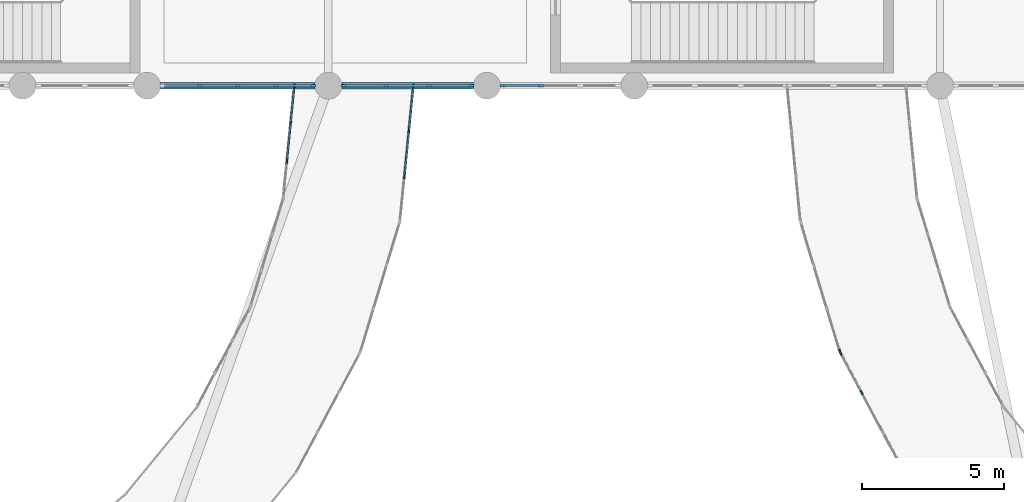
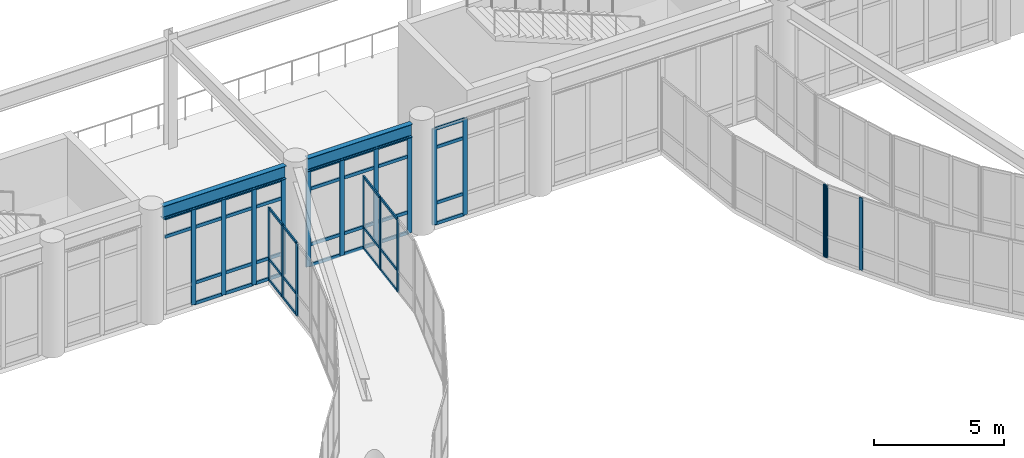
# One storey, part 27 of 72: 61 members, 2 beams, 7 elements without a shape of their own.
"""IFC4 building model written with IfcOpenShell, lengths in metres."""

from ifc_helpers import new_model, si_unit, direction, frame, origin, origin_2d, place, context, subcontext, project, spatial, rectangle, i_section, extrude, material, material_profile, profile_set, type_object, element, aggregate, save


model = new_model("IFC4")

# Units and contexts
model_context = context("Model", 3, precision=1e-05, world=origin(), true_north=direction((0.0, 1.0)))
body_context = subcontext(model_context, "Body", "Model", "MODEL_VIEW")
ifc_project = project(units=[si_unit("LENGTHUNIT", "METRE"), si_unit("AREAUNIT", "SQUARE_METRE"), si_unit("VOLUMEUNIT", "CUBIC_METRE"), si_unit("PLANEANGLEUNIT", "RADIAN"), si_unit("MASSUNIT", "GRAM", prefix="KILO")], contexts=[model_context])

# Site, building, storey
site_placement = place(None, origin())
site = spatial("IfcSite", under=ifc_project, at=site_placement, CompositionType="ELEMENT")
building_placement = place(site_placement, origin())
building = spatial("IfcBuilding", under=site, at=building_placement, Name="Veldera Park Congress Hotel", CompositionType="ELEMENT")
storey_placement = place(building_placement, frame((0.0, 0.0, 5.39990234375)))
storey = spatial("IfcBuildingStorey", under=building, at=storey_placement, Name="L01", CompositionType="ELEMENT", Elevation=5.39990234375)

# Beams
ifc_material_1 = material(Name="Steel ASTM A992 Gr.50", Category="steel")
ifc_material_profile_1 = material_profile(ifc_material_1, i_section(OverallWidth=0.22900390625, OverallDepth=0.612060546875, WebThickness=0.011962890625, FlangeThickness=0.01953125, at=origin_2d()), Name="W24X84")
ifc_profile_set_1 = profile_set([ifc_material_profile_1], Name="Steel ASTM A992 Gr.50")
beam_type = type_object("IfcBeamType", Name="BM-W24", PredefinedType="BEAM", material=ifc_profile_set_1)
beam_1_placement = place(storey_placement, frame((14.074951171875, 17.39990234375, 4.82421875), z_axis=(1.0, 0.0, 0.0), x_axis=(0.0, 1.0, 0.0)))
element("IfcBeam", 1, at=beam_1_placement, inside=storey, type_object=beam_type, Name="L01 Girder BM-W24 601", PredefinedType="BEAM", context=body_context, shape_type="SweptSolid", body=[
    extrude(i_section(OverallWidth=0.22900390625, OverallDepth=0.612060546875, WebThickness=0.011962890625, FlangeThickness=0.01953125, at=origin_2d()), origin(), (0.0, 0.0, 1.0), 5.449951171875),
])
beam_2_placement = place(storey_placement, frame((20.47509765625, 17.39990234375, 4.82421875), z_axis=(1.0, 0.0, 0.0), x_axis=(0.0, 1.0, 0.0)))
element("IfcBeam", 2, at=beam_2_placement, inside=storey, type_object=beam_type, Name="L01 Girder BM-W24 602", PredefinedType="BEAM", context=body_context, shape_type="SweptSolid", body=[
    extrude(i_section(OverallWidth=0.22900390625, OverallDepth=0.612060546875, WebThickness=0.011962890625, FlangeThickness=0.01953125, at=origin_2d()), origin(), (0.0, 0.0, 1.0), 4.64990234375),
])

# Curtain wall, members
ifc_material_2 = material(Name="Low-E Triple Insulating Glass Unit (SHGC 0.22)", Category="glass")
curtain_wall_type_1 = type_object("IfcCurtainWallType", Name="CW-BRG", PredefinedType="NOTDEFINED", material=ifc_material_2)
curtain_wall_1_placement = place(storey_placement, origin())
curtain_wall_1 = element("IfcCurtainWall", 3, at=curtain_wall_1_placement, inside=storey, type_object=curtain_wall_type_1, Name="L01 Curtain Wall CW3-BRGW-L01-A07", PredefinedType="NOTDEFINED")
ifc_material_3 = material(Name="Anodised Aluminium Alloy 6063-T6", Category="aluminium")
ifc_material_profile_2 = material_profile(ifc_material_3, rectangle(XDim=0.06005859375, YDim=0.159912109375, at=origin_2d()), Name="ALU 60x160")
ifc_profile_set_2 = profile_set([ifc_material_profile_2], Name="Anodised Aluminium Alloy 6063-T6")
member_type_1 = type_object("IfcMemberType", Name="CWM-160", PredefinedType="MULLION", material=ifc_profile_set_2)
member_1_placement = place(storey_placement, frame((22.684814453125, 14.200439453125, 0.0), z_axis=(0.0, 0.0, 1.0), x_axis=(-0.995184320963, 0.098021259481, 0.0)))
member_1 = element("IfcMember", 4, at=member_1_placement, type_object=member_type_1, Name="CW-BRG mullion 2", PredefinedType="MULLION", context=body_context, shape_type="SweptSolid", body=[
    extrude(rectangle(XDim=0.06005859375, YDim=0.159912109375, at=origin_2d()), origin(), (0.0, 0.0, 1.0), 3.400146484375),
])
member_2_placement = place(storey_placement, frame((22.842529296875, 15.80029296875, 0.0), z_axis=(0.0, 0.0, 1.0), x_axis=(-0.995184320963, 0.098021259481, 0.0)))
member_2 = element("IfcMember", 5, at=member_2_placement, type_object=member_type_1, Name="CW-BRG mullion 3", PredefinedType="MULLION", context=body_context, shape_type="SweptSolid", body=[
    extrude(rectangle(XDim=0.06005859375, YDim=0.159912109375, at=origin_2d()), origin(), (0.0, 0.0, 1.0), 3.400146484375),
])
member_3_placement = place(storey_placement, frame((22.9970703125, 17.3701171875, 0.0), z_axis=(0.0, 0.0, 1.0), x_axis=(-0.995184320963, 0.098021259481, 0.0)))
member_3 = element("IfcMember", 6, at=member_3_placement, type_object=member_type_1, Name="CW-BRG mullion 4", PredefinedType="MULLION", context=body_context, shape_type="SweptSolid", body=[
    extrude(rectangle(XDim=0.06005859375, YDim=0.159912109375, at=origin_2d()), origin(), (0.0, 0.0, 1.0), 3.400146484375),
])

curtain_wall_2_placement = place(storey_placement, origin())
curtain_wall_2 = element("IfcCurtainWall", 7, at=curtain_wall_2_placement, inside=storey, type_object=curtain_wall_type_1, Name="L01 Curtain Wall CW3-BRGW-L01-B09", PredefinedType="NOTDEFINED")
member_4_placement = place(storey_placement, frame((18.797119140625, 17.3701171875, 0.0), z_axis=(0.0, 0.0, 1.0), x_axis=(0.99518414337, -0.098023062513, 0.0)))
member_4 = element("IfcMember", 8, at=member_4_placement, type_object=member_type_1, Name="CW-BRG mullion 1", PredefinedType="MULLION", context=body_context, shape_type="SweptSolid", body=[
    extrude(rectangle(XDim=0.06005859375, YDim=0.159912109375, at=origin_2d()), origin(), (0.0, 0.0, 1.0), 3.400146484375),
])
member_5_placement = place(storey_placement, frame((18.66943359375, 16.073486328125, 0.0), z_axis=(0.0, 0.0, 1.0), x_axis=(0.99518414337, -0.098023062513, 0.0)))
member_5 = element("IfcMember", 9, at=member_5_placement, type_object=member_type_1, Name="CW-BRG mullion 2", PredefinedType="MULLION", context=body_context, shape_type="SweptSolid", body=[
    extrude(rectangle(XDim=0.06005859375, YDim=0.159912109375, at=origin_2d()), origin(), (0.0, 0.0, 1.0), 3.400146484375),
])
member_6_placement = place(storey_placement, frame((18.53857421875, 14.746826171875, 0.0), z_axis=(0.0, 0.0, 1.0), x_axis=(0.99518414337, -0.098023062513, 0.0)))
member_6 = element("IfcMember", 10, at=member_6_placement, type_object=member_type_1, Name="CW-BRG mullion 3", PredefinedType="MULLION", context=body_context, shape_type="SweptSolid", body=[
    extrude(rectangle(XDim=0.06005859375, YDim=0.159912109375, at=origin_2d()), origin(), (0.0, 0.0, 1.0), 3.400146484375),
])

# Curtain wall, member
curtain_wall_3_placement = place(storey_placement, origin())
curtain_wall_3 = element("IfcCurtainWall", 11, at=curtain_wall_3_placement, inside=storey, type_object=curtain_wall_type_1, Name="L01 Curtain Wall CW3-BRGE-L01-A01", PredefinedType="NOTDEFINED")
member_7_placement = place(storey_placement, frame((38.06396484375, 8.0146484375, 0.0), z_axis=(0.0, 0.0, 1.0), x_axis=(0.956939429957, 0.290287663177, 0.0)))
member_7 = element("IfcMember", 12, at=member_7_placement, type_object=member_type_1, Name="CW-BRG mullion 4", PredefinedType="MULLION", context=body_context, shape_type="SweptSolid", body=[
    extrude(rectangle(XDim=0.06005859375, YDim=0.159912109375, at=origin_2d()), origin(), (0.0, 0.0, 1.0), 3.400146484375),
])
aggregate(curtain_wall_3, [member_7])

# Curtain wall, members
curtain_wall_4_placement = place(storey_placement, origin())
curtain_wall_4 = element("IfcCurtainWall", 13, at=curtain_wall_4_placement, inside=storey, type_object=curtain_wall_type_1, Name="L01 Curtain Wall CW3-BRGE-L01-A02", PredefinedType="NOTDEFINED")
member_8_placement = place(storey_placement, frame((38.086669921875, 7.95947265625, 0.0), z_axis=(0.0, 0.0, 1.0), x_axis=(0.881927804203, 0.471384501415, 0.0)))
member_8 = element("IfcMember", 14, at=member_8_placement, type_object=member_type_1, Name="CW-BRG mullion 1", PredefinedType="MULLION", context=body_context, shape_type="SweptSolid", body=[
    extrude(rectangle(XDim=0.06005859375, YDim=0.159912109375, at=origin_2d()), origin(), (0.0, 0.0, 1.0), 3.400146484375),
])
member_9_placement = place(storey_placement, frame((38.830322265625, 6.568359375, 0.0), z_axis=(0.0, 0.0, 1.0), x_axis=(0.881927804203, 0.471384501415, 0.0)))
member_9 = element("IfcMember", 15, at=member_9_placement, type_object=member_type_1, Name="CW-BRG mullion 2", PredefinedType="MULLION", context=body_context, shape_type="SweptSolid", body=[
    extrude(rectangle(XDim=0.06005859375, YDim=0.159912109375, at=origin_2d()), origin(), (0.0, 0.0, 1.0), 3.400146484375),
])
aggregate(curtain_wall_4, [member_8, member_9])

curtain_wall_type_2 = type_object("IfcCurtainWallType", Name="CW-POD", PredefinedType="NOTDEFINED", material=ifc_material_2)
curtain_wall_5_placement = place(storey_placement, origin())
curtain_wall_5 = element("IfcCurtainWall", 16, at=curtain_wall_5_placement, inside=storey, type_object=curtain_wall_type_2, Name="L01 Curtain Wall CW3-V2S-L01-032", PredefinedType="NOTDEFINED")
ifc_material_profile_3 = material_profile(ifc_material_3, rectangle(XDim=0.074951171875, YDim=0.199951171875, at=origin_2d()), Name="ALU 75x200")
ifc_profile_set_3 = profile_set([ifc_material_profile_3], Name="Anodised Aluminium Alloy 6063-T6")
member_type_2 = type_object("IfcMemberType", Name="CWM-200", PredefinedType="MULLION", material=ifc_profile_set_3)
member_10_placement = place(storey_placement, frame((15.45751953125, 17.39990234375, 0.0), z_axis=(0.0, 0.0, 1.0), x_axis=(0.0, 1.0, 0.0)))
member_10 = element("IfcMember", 17, at=member_10_placement, type_object=member_type_2, Name="CW-POD mullion 2", PredefinedType="MULLION", context=body_context, shape_type="SweptSolid", body=[
    extrude(rectangle(XDim=0.074951171875, YDim=0.199951171875, at=origin_2d()), origin(), (0.0, 0.0, 1.0), 4.51318359375),
])
member_11_placement = place(storey_placement, frame((16.800048828125, 17.39990234375, 0.0), z_axis=(0.0, 0.0, 1.0), x_axis=(0.0, 1.0, 0.0)))
member_11 = element("IfcMember", 18, at=member_11_placement, type_object=member_type_2, Name="CW-POD mullion 3", PredefinedType="MULLION", context=body_context, shape_type="SweptSolid", body=[
    extrude(rectangle(XDim=0.074951171875, YDim=0.199951171875, at=origin_2d()), origin(), (0.0, 0.0, 1.0), 4.51318359375),
])
member_12_placement = place(storey_placement, frame((18.142578125, 17.39990234375, 0.0), z_axis=(0.0, 0.0, 1.0), x_axis=(0.0, 1.0, 0.0)))
member_12 = element("IfcMember", 19, at=member_12_placement, type_object=member_type_2, Name="CW-POD mullion 4", PredefinedType="MULLION", context=body_context, shape_type="SweptSolid", body=[
    extrude(rectangle(XDim=0.074951171875, YDim=0.199951171875, at=origin_2d()), origin(), (0.0, 0.0, 1.0), 4.51318359375),
])
member_13_placement = place(storey_placement, frame((19.447509765625, 17.39990234375, 0.0), z_axis=(0.0, 0.0, 1.0), x_axis=(0.0, 1.0, 0.0)))
member_13 = element("IfcMember", 20, at=member_13_placement, type_object=member_type_2, Name="CW-POD mullion 5", PredefinedType="MULLION", context=body_context, shape_type="SweptSolid", body=[
    extrude(rectangle(XDim=0.074951171875, YDim=0.199951171875, at=origin_2d()), origin(), (0.0, 0.0, 1.0), 4.51318359375),
])

curtain_wall_6_placement = place(storey_placement, origin())
curtain_wall_6 = element("IfcCurtainWall", 21, at=curtain_wall_6_placement, inside=storey, type_object=curtain_wall_type_2, Name="L01 Curtain Wall CW3-V2S-L01-033", PredefinedType="NOTDEFINED")
member_14_placement = place(storey_placement, frame((20.552490234375, 17.39990234375, 0.0), z_axis=(0.0, 0.0, 1.0), x_axis=(0.0, 1.0, 0.0)))
member_14 = element("IfcMember", 22, at=member_14_placement, type_object=member_type_2, Name="CW-POD mullion 1", PredefinedType="MULLION", context=body_context, shape_type="SweptSolid", body=[
    extrude(rectangle(XDim=0.074951171875, YDim=0.199951171875, at=origin_2d()), origin(), (0.0, 0.0, 1.0), 4.51318359375),
])
member_15_placement = place(storey_placement, frame((22.038330078125, 17.39990234375, 0.0), z_axis=(0.0, 0.0, 1.0), x_axis=(0.0, 1.0, 0.0)))
member_15 = element("IfcMember", 23, at=member_15_placement, type_object=member_type_2, Name="CW-POD mullion 2", PredefinedType="MULLION", context=body_context, shape_type="SweptSolid", body=[
    extrude(rectangle(XDim=0.074951171875, YDim=0.199951171875, at=origin_2d()), origin(), (0.0, 0.0, 1.0), 4.51318359375),
])
member_16_placement = place(storey_placement, frame((23.561767578125, 17.39990234375, 0.0), z_axis=(0.0, 0.0, 1.0), x_axis=(0.0, 1.0, 0.0)))
member_16 = element("IfcMember", 24, at=member_16_placement, type_object=member_type_2, Name="CW-POD mullion 3", PredefinedType="MULLION", context=body_context, shape_type="SweptSolid", body=[
    extrude(rectangle(XDim=0.074951171875, YDim=0.199951171875, at=origin_2d()), origin(), (0.0, 0.0, 1.0), 4.51318359375),
])
member_17_placement = place(storey_placement, frame((25.047607421875, 17.39990234375, 0.0), z_axis=(0.0, 0.0, 1.0), x_axis=(0.0, 1.0, 0.0)))
member_17 = element("IfcMember", 25, at=member_17_placement, type_object=member_type_2, Name="CW-POD mullion 4", PredefinedType="MULLION", context=body_context, shape_type="SweptSolid", body=[
    extrude(rectangle(XDim=0.074951171875, YDim=0.199951171875, at=origin_2d()), origin(), (0.0, 0.0, 1.0), 4.51318359375),
])

curtain_wall_7_placement = place(storey_placement, origin())
curtain_wall_7 = element("IfcCurtainWall", 26, at=curtain_wall_7_placement, inside=storey, type_object=curtain_wall_type_2, Name="L01 Curtain Wall CW3-V2S-L01-034", PredefinedType="NOTDEFINED")
member_18_placement = place(storey_placement, frame((26.152587890625, 17.39990234375, 0.0), z_axis=(0.0, 0.0, 1.0), x_axis=(0.0, 1.0, 0.0)))
member_18 = element("IfcMember", 27, at=member_18_placement, type_object=member_type_2, Name="CW-POD mullion 1", PredefinedType="MULLION", context=body_context, shape_type="SweptSolid", body=[
    extrude(rectangle(XDim=0.074951171875, YDim=0.199951171875, at=origin_2d()), origin(), (0.0, 0.0, 1.0), 4.51318359375),
])
member_19_placement = place(storey_placement, frame((27.5048828125, 17.39990234375, 0.0), z_axis=(0.0, 0.0, 1.0), x_axis=(0.0, 1.0, 0.0)))
member_19 = element("IfcMember", 28, at=member_19_placement, type_object=member_type_2, Name="CW-POD mullion 2", PredefinedType="MULLION", context=body_context, shape_type="SweptSolid", body=[
    extrude(rectangle(XDim=0.074951171875, YDim=0.199951171875, at=origin_2d()), origin(), (0.0, 0.0, 1.0), 4.51318359375),
])

# Member
ifc_material_profile_4 = material_profile(ifc_material_3, rectangle(XDim=0.06005859375, YDim=0.1201171875, at=origin_2d()), Name="ALU 60x120")
ifc_profile_set_4 = profile_set([ifc_material_profile_4], Name="Anodised Aluminium Alloy 6063-T6")
member_type_3 = type_object("IfcMemberType", Name="CWT-120", PredefinedType="USERDEFINED", material=ifc_profile_set_4)
member_20_placement = place(storey_placement, frame((22.687744140625, 14.23046875, 0.030029296875), z_axis=(0.09812904888, 0.995173698289, 0.0), x_axis=(-0.995173698289, 0.09812904888, 0.0)))
member_20 = element("IfcMember", 29, at=member_20_placement, type_object=member_type_3, Name="CW-BRG transom 2.1", ObjectType="TRANSOM", PredefinedType="USERDEFINED", context=body_context, shape_type="SweptSolid", body=[
    extrude(rectangle(XDim=0.06005859375, YDim=0.1201171875, at=origin_2d()), origin(), (0.0, 0.0, 1.0), 1.547607421875),
])

member_21_placement = place(storey_placement, frame((22.687744140625, 14.23046875, 1.0), z_axis=(0.09812904888, 0.995173698289, 0.0), x_axis=(-0.995173698289, 0.09812904888, 0.0)))
member_21 = element("IfcMember", 30, at=member_21_placement, type_object=member_type_3, Name="CW-BRG transom 2.2", ObjectType="TRANSOM", PredefinedType="USERDEFINED", context=body_context, shape_type="SweptSolid", body=[
    extrude(rectangle(XDim=0.06005859375, YDim=0.1201171875, at=origin_2d()), origin(), (0.0, 0.0, 1.0), 1.547607421875),
])

member_22_placement = place(storey_placement, frame((22.687744140625, 14.23046875, 3.3701171875), z_axis=(0.09812904888, 0.995173698289, 0.0), x_axis=(-0.995173698289, 0.09812904888, 0.0)))
member_22 = element("IfcMember", 31, at=member_22_placement, type_object=member_type_3, Name="CW-BRG transom 2.3", ObjectType="TRANSOM", PredefinedType="USERDEFINED", context=body_context, shape_type="SweptSolid", body=[
    extrude(rectangle(XDim=0.06005859375, YDim=0.1201171875, at=origin_2d()), origin(), (0.0, 0.0, 1.0), 1.547607421875),
])

member_23_placement = place(storey_placement, frame((22.845458984375, 15.830078125, 0.030029296875), z_axis=(0.097974467756, 0.99518892863, 0.0), x_axis=(-0.99518892863, 0.097974467756, 0.0)))
member_23 = element("IfcMember", 32, at=member_23_placement, type_object=member_type_3, Name="CW-BRG transom 3.1", ObjectType="TRANSOM", PredefinedType="USERDEFINED", context=body_context, shape_type="SweptSolid", body=[
    extrude(rectangle(XDim=0.06005859375, YDim=0.1201171875, at=origin_2d()), origin(), (0.0, 0.0, 1.0), 1.517578125),
])

member_24_placement = place(storey_placement, frame((22.845458984375, 15.830078125, 1.0), z_axis=(0.097974467756, 0.99518892863, 0.0), x_axis=(-0.99518892863, 0.097974467756, 0.0)))
member_24 = element("IfcMember", 33, at=member_24_placement, type_object=member_type_3, Name="CW-BRG transom 3.2", ObjectType="TRANSOM", PredefinedType="USERDEFINED", context=body_context, shape_type="SweptSolid", body=[
    extrude(rectangle(XDim=0.06005859375, YDim=0.1201171875, at=origin_2d()), origin(), (0.0, 0.0, 1.0), 1.517578125),
])

member_25_placement = place(storey_placement, frame((22.845458984375, 15.830078125, 3.3701171875), z_axis=(0.097974467756, 0.99518892863, 0.0), x_axis=(-0.99518892863, 0.097974467756, 0.0)))
member_25 = element("IfcMember", 34, at=member_25_placement, type_object=member_type_3, Name="CW-BRG transom 3.3", ObjectType="TRANSOM", PredefinedType="USERDEFINED", context=body_context, shape_type="SweptSolid", body=[
    extrude(rectangle(XDim=0.06005859375, YDim=0.1201171875, at=origin_2d()), origin(), (0.0, 0.0, 1.0), 1.517578125),
])

aggregate(curtain_wall_1, [member_1, member_2, member_3, member_20, member_21, member_22, member_23, member_24, member_25])

member_26_placement = place(storey_placement, frame((18.794189453125, 17.34033203125, 0.030029296875), z_axis=(-0.098006258807, -0.995185798349, 0.0), x_axis=(0.995185798349, -0.098006258807, 0.0)))
member_26 = element("IfcMember", 35, at=member_26_placement, type_object=member_type_3, Name="CW-BRG transom 1.1", ObjectType="TRANSOM", PredefinedType="USERDEFINED", context=body_context, shape_type="SweptSolid", body=[
    extrude(rectangle(XDim=0.06005859375, YDim=0.1201171875, at=origin_2d()), origin(), (0.0, 0.0, 1.0), 1.2431640625),
])

member_27_placement = place(storey_placement, frame((18.794189453125, 17.34033203125, 1.0), z_axis=(-0.098006258807, -0.995185798349, 0.0), x_axis=(0.995185798349, -0.098006258807, 0.0)))
member_27 = element("IfcMember", 36, at=member_27_placement, type_object=member_type_3, Name="CW-BRG transom 1.2", ObjectType="TRANSOM", PredefinedType="USERDEFINED", context=body_context, shape_type="SweptSolid", body=[
    extrude(rectangle(XDim=0.06005859375, YDim=0.1201171875, at=origin_2d()), origin(), (0.0, 0.0, 1.0), 1.2431640625),
])

member_28_placement = place(storey_placement, frame((18.794189453125, 17.34033203125, 3.3701171875), z_axis=(-0.098006258807, -0.995185798349, 0.0), x_axis=(0.995185798349, -0.098006258807, 0.0)))
member_28 = element("IfcMember", 37, at=member_28_placement, type_object=member_type_3, Name="CW-BRG transom 1.3", ObjectType="TRANSOM", PredefinedType="USERDEFINED", context=body_context, shape_type="SweptSolid", body=[
    extrude(rectangle(XDim=0.06005859375, YDim=0.1201171875, at=origin_2d()), origin(), (0.0, 0.0, 1.0), 1.2431640625),
])

member_29_placement = place(storey_placement, frame((18.66650390625, 16.04345703125, 0.030029296875), z_axis=(-0.098193425009, -0.995167348382, 0.0), x_axis=(0.995167348382, -0.098193425009, 0.0)))
member_29 = element("IfcMember", 38, at=member_29_placement, type_object=member_type_3, Name="CW-BRG transom 2.1", ObjectType="TRANSOM", PredefinedType="USERDEFINED", context=body_context, shape_type="SweptSolid", body=[
    extrude(rectangle(XDim=0.06005859375, YDim=0.1201171875, at=origin_2d()), origin(), (0.0, 0.0, 1.0), 1.27294921875),
])

member_30_placement = place(storey_placement, frame((18.66650390625, 16.04345703125, 1.0), z_axis=(-0.098193425009, -0.995167348382, 0.0), x_axis=(0.995167348382, -0.098193425009, 0.0)))
member_30 = element("IfcMember", 39, at=member_30_placement, type_object=member_type_3, Name="CW-BRG transom 2.2", ObjectType="TRANSOM", PredefinedType="USERDEFINED", context=body_context, shape_type="SweptSolid", body=[
    extrude(rectangle(XDim=0.06005859375, YDim=0.1201171875, at=origin_2d()), origin(), (0.0, 0.0, 1.0), 1.27294921875),
])

member_31_placement = place(storey_placement, frame((18.66650390625, 16.04345703125, 3.3701171875), z_axis=(-0.098193425009, -0.995167348382, 0.0), x_axis=(0.995167348382, -0.098193425009, 0.0)))
member_31 = element("IfcMember", 40, at=member_31_placement, type_object=member_type_3, Name="CW-BRG transom 2.3", ObjectType="TRANSOM", PredefinedType="USERDEFINED", context=body_context, shape_type="SweptSolid", body=[
    extrude(rectangle(XDim=0.06005859375, YDim=0.1201171875, at=origin_2d()), origin(), (0.0, 0.0, 1.0), 1.27294921875),
])

aggregate(curtain_wall_2, [member_4, member_5, member_6, member_26, member_27, member_28, member_29, member_30, member_31])

ifc_material_profile_5 = material_profile(ifc_material_3, rectangle(XDim=0.074951171875, YDim=0.14990234375, at=origin_2d()), Name="ALU 75x150")
ifc_profile_set_5 = profile_set([ifc_material_profile_5], Name="Anodised Aluminium Alloy 6063-T6")
member_type_4 = type_object("IfcMemberType", Name="CWT-150", PredefinedType="USERDEFINED", material=ifc_profile_set_5)
member_32_placement = place(storey_placement, frame((14.18994140625, 17.39990234375, 3.613037109375), z_axis=(1.0, 0.0, 0.0), x_axis=(0.0, 1.0, 0.0)))
member_32 = element("IfcMember", 41, at=member_32_placement, type_object=member_type_4, Name="CW-POD transom 1.3", ObjectType="TRANSOM", PredefinedType="USERDEFINED", context=body_context, shape_type="SweptSolid", body=[
    extrude(rectangle(XDim=0.074951171875, YDim=0.14990234375, at=origin_2d()), origin(), (0.0, 0.0, 1.0), 1.22998046875),
])

member_33_placement = place(storey_placement, frame((14.18994140625, 17.39990234375, 4.4755859375), z_axis=(1.0, 0.0, 0.0), x_axis=(0.0, 1.0, 0.0)))
member_33 = element("IfcMember", 42, at=member_33_placement, type_object=member_type_4, Name="CW-POD transom 1.4", ObjectType="TRANSOM", PredefinedType="USERDEFINED", context=body_context, shape_type="SweptSolid", body=[
    extrude(rectangle(XDim=0.074951171875, YDim=0.14990234375, at=origin_2d()), origin(), (0.0, 0.0, 1.0), 1.22998046875),
])

member_34_placement = place(storey_placement, frame((15.4951171875, 17.39990234375, 0.03759765625), z_axis=(1.0, 0.0, 0.0), x_axis=(0.0, 1.0, 0.0)))
member_34 = element("IfcMember", 43, at=member_34_placement, type_object=member_type_4, Name="CW-POD transom 2.1", ObjectType="TRANSOM", PredefinedType="USERDEFINED", context=body_context, shape_type="SweptSolid", body=[
    extrude(rectangle(XDim=0.074951171875, YDim=0.14990234375, at=origin_2d()), origin(), (0.0, 0.0, 1.0), 1.267333984375),
])

member_35_placement = place(storey_placement, frame((15.4951171875, 17.39990234375, 1.0), z_axis=(1.0, 0.0, 0.0), x_axis=(0.0, 1.0, 0.0)))
member_35 = element("IfcMember", 44, at=member_35_placement, type_object=member_type_4, Name="CW-POD transom 2.2", ObjectType="TRANSOM", PredefinedType="USERDEFINED", context=body_context, shape_type="SweptSolid", body=[
    extrude(rectangle(XDim=0.074951171875, YDim=0.14990234375, at=origin_2d()), origin(), (0.0, 0.0, 1.0), 1.267333984375),
])

member_36_placement = place(storey_placement, frame((15.4951171875, 17.39990234375, 3.613037109375), z_axis=(1.0, 0.0, 0.0), x_axis=(0.0, 1.0, 0.0)))
member_36 = element("IfcMember", 45, at=member_36_placement, type_object=member_type_4, Name="CW-POD transom 2.3", ObjectType="TRANSOM", PredefinedType="USERDEFINED", context=body_context, shape_type="SweptSolid", body=[
    extrude(rectangle(XDim=0.074951171875, YDim=0.14990234375, at=origin_2d()), origin(), (0.0, 0.0, 1.0), 1.267333984375),
])

member_37_placement = place(storey_placement, frame((15.4951171875, 17.39990234375, 4.4755859375), z_axis=(1.0, 0.0, 0.0), x_axis=(0.0, 1.0, 0.0)))
member_37 = element("IfcMember", 46, at=member_37_placement, type_object=member_type_4, Name="CW-POD transom 2.4", ObjectType="TRANSOM", PredefinedType="USERDEFINED", context=body_context, shape_type="SweptSolid", body=[
    extrude(rectangle(XDim=0.074951171875, YDim=0.14990234375, at=origin_2d()), origin(), (0.0, 0.0, 1.0), 1.267333984375),
])

member_38_placement = place(storey_placement, frame((16.83740234375, 17.39990234375, 0.03759765625), z_axis=(1.0, 0.0, 0.0), x_axis=(0.0, 1.0, 0.0)))
member_38 = element("IfcMember", 47, at=member_38_placement, type_object=member_type_4, Name="CW-POD transom 3.1", ObjectType="TRANSOM", PredefinedType="USERDEFINED", context=body_context, shape_type="SweptSolid", body=[
    extrude(rectangle(XDim=0.074951171875, YDim=0.14990234375, at=origin_2d()), origin(), (0.0, 0.0, 1.0), 1.267578125),
])

member_39_placement = place(storey_placement, frame((16.83740234375, 17.39990234375, 1.0), z_axis=(1.0, 0.0, 0.0), x_axis=(0.0, 1.0, 0.0)))
member_39 = element("IfcMember", 48, at=member_39_placement, type_object=member_type_4, Name="CW-POD transom 3.2", ObjectType="TRANSOM", PredefinedType="USERDEFINED", context=body_context, shape_type="SweptSolid", body=[
    extrude(rectangle(XDim=0.074951171875, YDim=0.14990234375, at=origin_2d()), origin(), (0.0, 0.0, 1.0), 1.267578125),
])

member_40_placement = place(storey_placement, frame((16.83740234375, 17.39990234375, 3.613037109375), z_axis=(1.0, 0.0, 0.0), x_axis=(0.0, 1.0, 0.0)))
member_40 = element("IfcMember", 49, at=member_40_placement, type_object=member_type_4, Name="CW-POD transom 3.3", ObjectType="TRANSOM", PredefinedType="USERDEFINED", context=body_context, shape_type="SweptSolid", body=[
    extrude(rectangle(XDim=0.074951171875, YDim=0.14990234375, at=origin_2d()), origin(), (0.0, 0.0, 1.0), 1.267578125),
])

member_41_placement = place(storey_placement, frame((16.83740234375, 17.39990234375, 4.4755859375), z_axis=(1.0, 0.0, 0.0), x_axis=(0.0, 1.0, 0.0)))
member_41 = element("IfcMember", 50, at=member_41_placement, type_object=member_type_4, Name="CW-POD transom 3.4", ObjectType="TRANSOM", PredefinedType="USERDEFINED", context=body_context, shape_type="SweptSolid", body=[
    extrude(rectangle(XDim=0.074951171875, YDim=0.14990234375, at=origin_2d()), origin(), (0.0, 0.0, 1.0), 1.267578125),
])

member_42_placement = place(storey_placement, frame((18.179931640625, 17.39990234375, 0.03759765625), z_axis=(1.0, 0.0, 0.0), x_axis=(0.0, 1.0, 0.0)))
member_42 = element("IfcMember", 51, at=member_42_placement, type_object=member_type_4, Name="CW-POD transom 4.1", ObjectType="TRANSOM", PredefinedType="USERDEFINED", context=body_context, shape_type="SweptSolid", body=[
    extrude(rectangle(XDim=0.074951171875, YDim=0.14990234375, at=origin_2d()), origin(), (0.0, 0.0, 1.0), 1.22998046875),
])

member_43_placement = place(storey_placement, frame((18.179931640625, 17.39990234375, 1.0), z_axis=(1.0, 0.0, 0.0), x_axis=(0.0, 1.0, 0.0)))
member_43 = element("IfcMember", 52, at=member_43_placement, type_object=member_type_4, Name="CW-POD transom 4.2", ObjectType="TRANSOM", PredefinedType="USERDEFINED", context=body_context, shape_type="SweptSolid", body=[
    extrude(rectangle(XDim=0.074951171875, YDim=0.14990234375, at=origin_2d()), origin(), (0.0, 0.0, 1.0), 1.22998046875),
])

member_44_placement = place(storey_placement, frame((18.179931640625, 17.39990234375, 3.613037109375), z_axis=(1.0, 0.0, 0.0), x_axis=(0.0, 1.0, 0.0)))
member_44 = element("IfcMember", 53, at=member_44_placement, type_object=member_type_4, Name="CW-POD transom 4.3", ObjectType="TRANSOM", PredefinedType="USERDEFINED", context=body_context, shape_type="SweptSolid", body=[
    extrude(rectangle(XDim=0.074951171875, YDim=0.14990234375, at=origin_2d()), origin(), (0.0, 0.0, 1.0), 1.22998046875),
])

member_45_placement = place(storey_placement, frame((18.179931640625, 17.39990234375, 4.4755859375), z_axis=(1.0, 0.0, 0.0), x_axis=(0.0, 1.0, 0.0)))
member_45 = element("IfcMember", 54, at=member_45_placement, type_object=member_type_4, Name="CW-POD transom 4.4", ObjectType="TRANSOM", PredefinedType="USERDEFINED", context=body_context, shape_type="SweptSolid", body=[
    extrude(rectangle(XDim=0.074951171875, YDim=0.14990234375, at=origin_2d()), origin(), (0.0, 0.0, 1.0), 1.22998046875),
])

aggregate(curtain_wall_5, [member_10, member_11, member_12, member_13, member_32, member_33, member_34, member_35, member_36, member_37, member_38, member_39, member_40, member_41, member_42, member_43, member_44, member_45])

member_46_placement = place(storey_placement, frame((20.590087890625, 17.39990234375, 0.03759765625), z_axis=(1.0, 0.0, 0.0), x_axis=(0.0, 1.0, 0.0)))
member_46 = element("IfcMember", 55, at=member_46_placement, type_object=member_type_4, Name="CW-POD transom 1.1", ObjectType="TRANSOM", PredefinedType="USERDEFINED", context=body_context, shape_type="SweptSolid", body=[
    extrude(rectangle(XDim=0.074951171875, YDim=0.14990234375, at=origin_2d()), origin(), (0.0, 0.0, 1.0), 1.41064453125),
])

member_47_placement = place(storey_placement, frame((20.590087890625, 17.39990234375, 1.0), z_axis=(1.0, 0.0, 0.0), x_axis=(0.0, 1.0, 0.0)))
member_47 = element("IfcMember", 56, at=member_47_placement, type_object=member_type_4, Name="CW-POD transom 1.2", ObjectType="TRANSOM", PredefinedType="USERDEFINED", context=body_context, shape_type="SweptSolid", body=[
    extrude(rectangle(XDim=0.074951171875, YDim=0.14990234375, at=origin_2d()), origin(), (0.0, 0.0, 1.0), 1.41064453125),
])

member_48_placement = place(storey_placement, frame((20.590087890625, 17.39990234375, 3.613037109375), z_axis=(1.0, 0.0, 0.0), x_axis=(0.0, 1.0, 0.0)))
member_48 = element("IfcMember", 57, at=member_48_placement, type_object=member_type_4, Name="CW-POD transom 1.3", ObjectType="TRANSOM", PredefinedType="USERDEFINED", context=body_context, shape_type="SweptSolid", body=[
    extrude(rectangle(XDim=0.074951171875, YDim=0.14990234375, at=origin_2d()), origin(), (0.0, 0.0, 1.0), 1.41064453125),
])

member_49_placement = place(storey_placement, frame((20.590087890625, 17.39990234375, 4.4755859375), z_axis=(1.0, 0.0, 0.0), x_axis=(0.0, 1.0, 0.0)))
member_49 = element("IfcMember", 58, at=member_49_placement, type_object=member_type_4, Name="CW-POD transom 1.4", ObjectType="TRANSOM", PredefinedType="USERDEFINED", context=body_context, shape_type="SweptSolid", body=[
    extrude(rectangle(XDim=0.074951171875, YDim=0.14990234375, at=origin_2d()), origin(), (0.0, 0.0, 1.0), 1.41064453125),
])

member_50_placement = place(storey_placement, frame((22.075927734375, 17.39990234375, 0.03759765625), z_axis=(1.0, 0.0, 0.0), x_axis=(0.0, 1.0, 0.0)))
member_50 = element("IfcMember", 59, at=member_50_placement, type_object=member_type_4, Name="CW-POD transom 2.1", ObjectType="TRANSOM", PredefinedType="USERDEFINED", context=body_context, shape_type="SweptSolid", body=[
    extrude(rectangle(XDim=0.074951171875, YDim=0.14990234375, at=origin_2d()), origin(), (0.0, 0.0, 1.0), 1.4482421875),
])

member_51_placement = place(storey_placement, frame((22.075927734375, 17.39990234375, 1.0), z_axis=(1.0, 0.0, 0.0), x_axis=(0.0, 1.0, 0.0)))
member_51 = element("IfcMember", 60, at=member_51_placement, type_object=member_type_4, Name="CW-POD transom 2.2", ObjectType="TRANSOM", PredefinedType="USERDEFINED", context=body_context, shape_type="SweptSolid", body=[
    extrude(rectangle(XDim=0.074951171875, YDim=0.14990234375, at=origin_2d()), origin(), (0.0, 0.0, 1.0), 1.4482421875),
])

member_52_placement = place(storey_placement, frame((22.075927734375, 17.39990234375, 3.613037109375), z_axis=(1.0, 0.0, 0.0), x_axis=(0.0, 1.0, 0.0)))
member_52 = element("IfcMember", 61, at=member_52_placement, type_object=member_type_4, Name="CW-POD transom 2.3", ObjectType="TRANSOM", PredefinedType="USERDEFINED", context=body_context, shape_type="SweptSolid", body=[
    extrude(rectangle(XDim=0.074951171875, YDim=0.14990234375, at=origin_2d()), origin(), (0.0, 0.0, 1.0), 1.4482421875),
])

member_53_placement = place(storey_placement, frame((22.075927734375, 17.39990234375, 4.4755859375), z_axis=(1.0, 0.0, 0.0), x_axis=(0.0, 1.0, 0.0)))
member_53 = element("IfcMember", 62, at=member_53_placement, type_object=member_type_4, Name="CW-POD transom 2.4", ObjectType="TRANSOM", PredefinedType="USERDEFINED", context=body_context, shape_type="SweptSolid", body=[
    extrude(rectangle(XDim=0.074951171875, YDim=0.14990234375, at=origin_2d()), origin(), (0.0, 0.0, 1.0), 1.4482421875),
])

member_54_placement = place(storey_placement, frame((23.59912109375, 17.39990234375, 0.03759765625), z_axis=(1.0, 0.0, 0.0), x_axis=(0.0, 1.0, 0.0)))
member_54 = element("IfcMember", 63, at=member_54_placement, type_object=member_type_4, Name="CW-POD transom 3.1", ObjectType="TRANSOM", PredefinedType="USERDEFINED", context=body_context, shape_type="SweptSolid", body=[
    extrude(rectangle(XDim=0.074951171875, YDim=0.14990234375, at=origin_2d()), origin(), (0.0, 0.0, 1.0), 1.410888671875),
])

member_55_placement = place(storey_placement, frame((23.59912109375, 17.39990234375, 1.0), z_axis=(1.0, 0.0, 0.0), x_axis=(0.0, 1.0, 0.0)))
member_55 = element("IfcMember", 64, at=member_55_placement, type_object=member_type_4, Name="CW-POD transom 3.2", ObjectType="TRANSOM", PredefinedType="USERDEFINED", context=body_context, shape_type="SweptSolid", body=[
    extrude(rectangle(XDim=0.074951171875, YDim=0.14990234375, at=origin_2d()), origin(), (0.0, 0.0, 1.0), 1.410888671875),
])

member_56_placement = place(storey_placement, frame((23.59912109375, 17.39990234375, 3.613037109375), z_axis=(1.0, 0.0, 0.0), x_axis=(0.0, 1.0, 0.0)))
member_56 = element("IfcMember", 65, at=member_56_placement, type_object=member_type_4, Name="CW-POD transom 3.3", ObjectType="TRANSOM", PredefinedType="USERDEFINED", context=body_context, shape_type="SweptSolid", body=[
    extrude(rectangle(XDim=0.074951171875, YDim=0.14990234375, at=origin_2d()), origin(), (0.0, 0.0, 1.0), 1.410888671875),
])

member_57_placement = place(storey_placement, frame((23.59912109375, 17.39990234375, 4.4755859375), z_axis=(1.0, 0.0, 0.0), x_axis=(0.0, 1.0, 0.0)))
member_57 = element("IfcMember", 66, at=member_57_placement, type_object=member_type_4, Name="CW-POD transom 3.4", ObjectType="TRANSOM", PredefinedType="USERDEFINED", context=body_context, shape_type="SweptSolid", body=[
    extrude(rectangle(XDim=0.074951171875, YDim=0.14990234375, at=origin_2d()), origin(), (0.0, 0.0, 1.0), 1.410888671875),
])

aggregate(curtain_wall_6, [member_14, member_15, member_16, member_17, member_46, member_47, member_48, member_49, member_50, member_51, member_52, member_53, member_54, member_55, member_56, member_57])

member_58_placement = place(storey_placement, frame((26.18994140625, 17.39990234375, 0.03759765625), z_axis=(1.0, 0.0, 0.0), x_axis=(0.0, 1.0, 0.0)))
member_58 = element("IfcMember", 67, at=member_58_placement, type_object=member_type_4, Name="CW-POD transom 1.1", ObjectType="TRANSOM", PredefinedType="USERDEFINED", context=body_context, shape_type="SweptSolid", body=[
    extrude(rectangle(XDim=0.074951171875, YDim=0.14990234375, at=origin_2d()), origin(), (0.0, 0.0, 1.0), 1.277587890625),
])

member_59_placement = place(storey_placement, frame((26.18994140625, 17.39990234375, 1.0), z_axis=(1.0, 0.0, 0.0), x_axis=(0.0, 1.0, 0.0)))
member_59 = element("IfcMember", 68, at=member_59_placement, type_object=member_type_4, Name="CW-POD transom 1.2", ObjectType="TRANSOM", PredefinedType="USERDEFINED", context=body_context, shape_type="SweptSolid", body=[
    extrude(rectangle(XDim=0.074951171875, YDim=0.14990234375, at=origin_2d()), origin(), (0.0, 0.0, 1.0), 1.277587890625),
])

member_60_placement = place(storey_placement, frame((26.18994140625, 17.39990234375, 3.613037109375), z_axis=(1.0, 0.0, 0.0), x_axis=(0.0, 1.0, 0.0)))
member_60 = element("IfcMember", 69, at=member_60_placement, type_object=member_type_4, Name="CW-POD transom 1.3", ObjectType="TRANSOM", PredefinedType="USERDEFINED", context=body_context, shape_type="SweptSolid", body=[
    extrude(rectangle(XDim=0.074951171875, YDim=0.14990234375, at=origin_2d()), origin(), (0.0, 0.0, 1.0), 1.277587890625),
])

member_61_placement = place(storey_placement, frame((26.18994140625, 17.39990234375, 4.4755859375), z_axis=(1.0, 0.0, 0.0), x_axis=(0.0, 1.0, 0.0)))
member_61 = element("IfcMember", 70, at=member_61_placement, type_object=member_type_4, Name="CW-POD transom 1.4", ObjectType="TRANSOM", PredefinedType="USERDEFINED", context=body_context, shape_type="SweptSolid", body=[
    extrude(rectangle(XDim=0.074951171875, YDim=0.14990234375, at=origin_2d()), origin(), (0.0, 0.0, 1.0), 1.277587890625),
])

aggregate(curtain_wall_7, [member_18, member_19, member_58, member_59, member_60, member_61])

save(model, "model.ifc")
